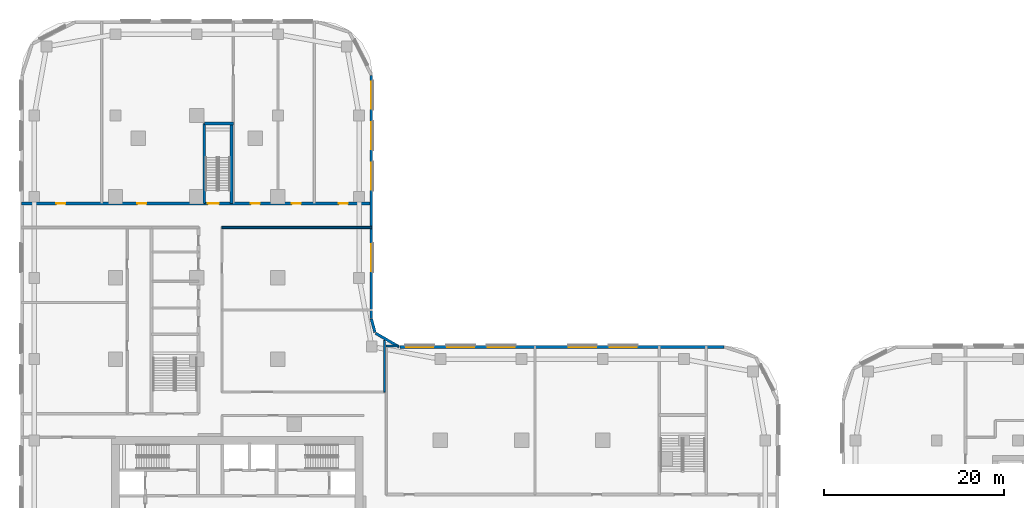
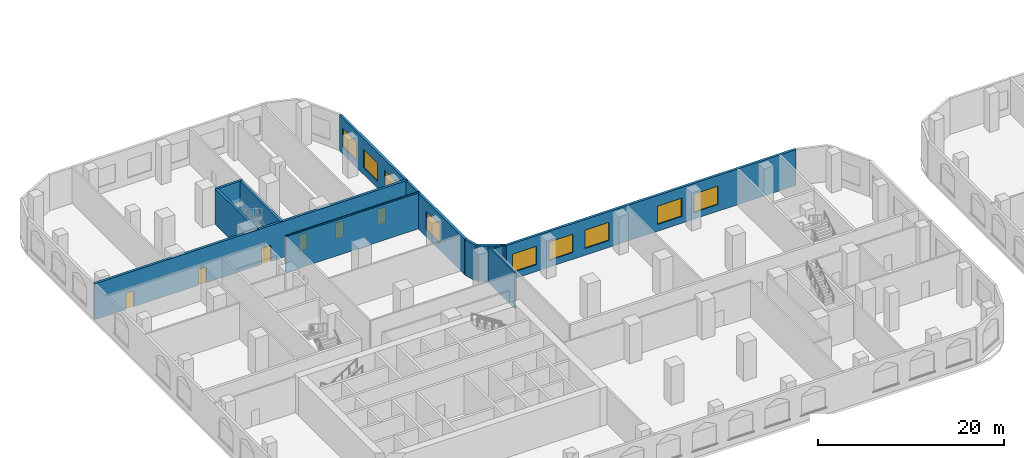
# One storey, part 7 of 31: 12 walls, 9 windows, 6 doors, 15 openings.
"""IFC4 building model written with IfcOpenShell, lengths in metres."""

from ifc_helpers import new_model, si_unit, direction, frame, frame_2d, origin, place, context, subcontext, project, spatial, rectangle, extrude, material, layer, layer_set, type_object, element, fill, save


model = new_model("IFC4")

# Units and contexts
model_context = context("Model", 3, precision=1e-05, world=origin(), true_north=direction((0.0, 1.0)))
body_context = subcontext(model_context, "Body", "Model", "MODEL_VIEW")
ifc_project = project(units=[si_unit("LENGTHUNIT", "METRE"), si_unit("AREAUNIT", "SQUARE_METRE"), si_unit("VOLUMEUNIT", "CUBIC_METRE"), si_unit("PLANEANGLEUNIT", "RADIAN"), si_unit("MASSUNIT", "GRAM", prefix="KILO")], contexts=[model_context])

# Site, building, storey
site_placement = place(None, origin())
site = spatial("IfcSite", under=ifc_project, at=site_placement, CompositionType="ELEMENT")
building_placement = place(site_placement, origin())
building = spatial("IfcBuilding", under=site, at=building_placement, Name="Ogive Portal Towers", CompositionType="ELEMENT")
storey_placement = place(building_placement, frame((0.0, 0.0, 13.5)))
storey = spatial("IfcBuildingStorey", under=building, at=storey_placement, Name="L02", CompositionType="ELEMENT", Elevation=13.5)

# Wall, openings, windows
ifc_material_1 = material(Name="Limestone cladding on lightweight block wall", Category="masonry")
ifc_layer_1 = layer(ifc_material_1, 0.300048828125)
ifc_layer_set_1 = layer_set([ifc_layer_1], Name="EXTERNAL WALL 300 STONE")
wall_type_1 = type_object("IfcWallType", Name="EXTERNAL WALL 300 STONE", PredefinedType="SOLIDWALL", material=ifc_layer_set_1)
wall_1_placement = place(storey_placement, frame((98.952392578125, 49.85009765625, 0.0), z_axis=(0.0, 0.0, 1.0), x_axis=(-1.0, 0.0, 0.0)))
wall_1 = element("IfcWall", 1, at=wall_1_placement, inside=storey, type_object=wall_type_1, Name="A:L02:f08:w0", PredefinedType="SOLIDWALL", context=body_context, shape_type="SweptSolid", body=[
    extrude(rectangle(XDim=35.952392578125, YDim=0.300048828125, at=frame_2d((17.97607421875, 0.0))), origin(), (0.0, 0.0, 1.0), 4.699951171875),
])
opening_1_placement = place(wall_1_placement, frame((9.702392578125, 0.0, 0.89990234375)))
opening_1 = element("IfcOpeningElement", 2, at=opening_1_placement, cuts=wall_1, Name="Opening WN3", PredefinedType="OPENING", context=body_context, shape_type="SweptSolid", body=[
    extrude(rectangle(XDim=3.0, YDim=2.39990234375, at=frame_2d((1.5, 1.199951171875))), frame((0.0, 0.16015625, 0.0), z_axis=(0.0, -1.0, 0.0), x_axis=(1.0, 0.0, 0.0)), (0.0, 0.0, 1.0), 0.320068359375),
])
opening_2_placement = place(wall_1_placement, frame((14.202392578125, 0.0, 0.89990234375)))
opening_2 = element("IfcOpeningElement", 3, at=opening_2_placement, cuts=wall_1, Name="Opening WN3", PredefinedType="OPENING", context=body_context, shape_type="SweptSolid", body=[
    extrude(rectangle(XDim=3.0, YDim=2.39990234375, at=frame_2d((1.5, 1.199951171875))), frame((0.0, 0.16015625, 0.0), z_axis=(0.0, -1.0, 0.0), x_axis=(1.0, 0.0, 0.0)), (0.0, 0.0, 1.0), 0.320068359375),
])
opening_3_placement = place(wall_1_placement, frame((23.202392578125, 0.0, 0.89990234375)))
opening_3 = element("IfcOpeningElement", 4, at=opening_3_placement, cuts=wall_1, Name="Opening WN3", PredefinedType="OPENING", context=body_context, shape_type="SweptSolid", body=[
    extrude(rectangle(XDim=3.0, YDim=2.39990234375, at=frame_2d((1.5, 1.199951171875))), frame((0.0, 0.16015625, 0.0), z_axis=(0.0, -1.0, 0.0), x_axis=(1.0, 0.0, 0.0)), (0.0, 0.0, 1.0), 0.320068359375),
])
opening_4_placement = place(wall_1_placement, frame((27.702392578125, 0.0, 0.89990234375)))
opening_4 = element("IfcOpeningElement", 5, at=opening_4_placement, cuts=wall_1, Name="Opening WN3", PredefinedType="OPENING", context=body_context, shape_type="SweptSolid", body=[
    extrude(rectangle(XDim=3.0, YDim=2.39990234375, at=frame_2d((1.5, 1.199951171875))), frame((0.0, 0.16015625, 0.0), z_axis=(0.0, -1.0, 0.0), x_axis=(1.0, 0.0, 0.0)), (0.0, 0.0, 1.0), 0.320068359375),
])
opening_5_placement = place(wall_1_placement, frame((32.226318359375, 0.0, 0.89990234375)))
opening_5 = element("IfcOpeningElement", 6, at=opening_5_placement, cuts=wall_1, Name="Opening WN3", PredefinedType="OPENING", context=body_context, shape_type="SweptSolid", body=[
    extrude(rectangle(XDim=3.0, YDim=2.39990234375, at=frame_2d((1.5, 1.199951171875))), frame((0.0, 0.16015625, 0.0), z_axis=(0.0, -1.0, 0.0), x_axis=(1.0, 0.0, 0.0)), (0.0, 0.0, 1.0), 0.320068359375),
])
ifc_material_2 = material(Name="Glass, clear low-iron insulated glazing", Category="glass")
window_type = type_object("IfcWindowType", Name="WINDOW PODIUM 3000x2400", PartitioningType="SINGLE_PANEL", PredefinedType="WINDOW", material=ifc_material_2)
window_1_placement = place(opening_1_placement, origin())
window_1 = element("IfcWindow", 7, at=window_1_placement, inside=storey, type_object=window_type, Name="A:L02:f08:w0:o1b", OverallHeight=2.39990234375, OverallWidth=3.0, PartitioningType="SINGLE_PANEL", PredefinedType="WINDOW", context=body_context, shape_type="SweptSolid", body=[
    extrude(rectangle(XDim=3.0, YDim=2.39990234375, at=frame_2d((1.5, 1.199951171875))), frame((0.0, 0.030029296875, 0.0), z_axis=(0.0, -1.0, 0.0), x_axis=(1.0, 0.0, 0.0)), (0.0, 0.0, 1.0), 0.06005859375),
])
fill(opening_1, window_1)
window_2_placement = place(opening_2_placement, origin())
window_2 = element("IfcWindow", 8, at=window_2_placement, inside=storey, type_object=window_type, Name="A:L02:f08:w0:o2a", OverallHeight=2.39990234375, OverallWidth=3.0, PartitioningType="SINGLE_PANEL", PredefinedType="WINDOW", context=body_context, shape_type="SweptSolid", body=[
    extrude(rectangle(XDim=3.0, YDim=2.39990234375, at=frame_2d((1.5, 1.199951171875))), frame((0.0, 0.030029296875, 0.0), z_axis=(0.0, -1.0, 0.0), x_axis=(1.0, 0.0, 0.0)), (0.0, 0.0, 1.0), 0.06005859375),
])
fill(opening_2, window_2)
window_3_placement = place(opening_3_placement, origin())
window_3 = element("IfcWindow", 9, at=window_3_placement, inside=storey, type_object=window_type, Name="A:L02:f08:w0:o3a", OverallHeight=2.39990234375, OverallWidth=3.0, PartitioningType="SINGLE_PANEL", PredefinedType="WINDOW", context=body_context, shape_type="SweptSolid", body=[
    extrude(rectangle(XDim=3.0, YDim=2.39990234375, at=frame_2d((1.5, 1.199951171875))), frame((0.0, 0.030029296875, 0.0), z_axis=(0.0, -1.0, 0.0), x_axis=(1.0, 0.0, 0.0)), (0.0, 0.0, 1.0), 0.06005859375),
])
fill(opening_3, window_3)
window_4_placement = place(opening_4_placement, origin())
window_4 = element("IfcWindow", 10, at=window_4_placement, inside=storey, type_object=window_type, Name="A:L02:f08:w0:o3b", OverallHeight=2.39990234375, OverallWidth=3.0, PartitioningType="SINGLE_PANEL", PredefinedType="WINDOW", context=body_context, shape_type="SweptSolid", body=[
    extrude(rectangle(XDim=3.0, YDim=2.39990234375, at=frame_2d((1.5, 1.199951171875))), frame((0.0, 0.030029296875, 0.0), z_axis=(0.0, -1.0, 0.0), x_axis=(1.0, 0.0, 0.0)), (0.0, 0.0, 1.0), 0.06005859375),
])
fill(opening_4, window_4)
window_5_placement = place(opening_5_placement, origin())
window_5 = element("IfcWindow", 11, at=window_5_placement, inside=storey, type_object=window_type, Name="A:L02:f08:w0:o4", OverallHeight=2.39990234375, OverallWidth=3.0, PartitioningType="SINGLE_PANEL", PredefinedType="WINDOW", context=body_context, shape_type="SweptSolid", body=[
    extrude(rectangle(XDim=3.0, YDim=2.39990234375, at=frame_2d((1.5, 1.199951171875))), frame((0.0, 0.030029296875, 0.0), z_axis=(0.0, -1.0, 0.0), x_axis=(1.0, 0.0, 0.0)), (0.0, 0.0, 1.0), 0.06005859375),
])
fill(opening_5, window_5)

# Walls
wall_2_placement = place(storey_placement, frame((62.925048828125, 49.8701171875, 0.0), z_axis=(0.0, 0.0, 1.0), x_axis=(-0.866031096941, 0.499990139034, 0.0)))
element("IfcWall", 12, at=wall_2_placement, inside=storey, type_object=wall_type_1, Name="A:L02:f09:w0", PredefinedType="SOLIDWALL", context=body_context, shape_type="SweptSolid", body=[
    extrude(rectangle(XDim=3.0, YDim=0.300048828125, at=frame_2d((1.5, 0.0))), origin(), (0.0, 0.0, 1.0), 4.699951171875),
])
wall_3_placement = place(storey_placement, frame((60.257080078125, 51.461181640625, 0.0), z_axis=(0.0, 0.0, 1.0), x_axis=(-0.258777996848, 0.965936824201, 0.0)))
element("IfcWall", 13, at=wall_3_placement, inside=storey, type_object=wall_type_1, Name="A:L02:f10:w0", PredefinedType="SOLIDWALL", context=body_context, shape_type="SweptSolid", body=[
    extrude(rectangle(XDim=1.552978515625, YDim=0.300048828125, at=frame_2d((0.7763671875, 0.0))), origin(), (0.0, 0.0, 1.0), 4.699951171875),
])

# Wall, openings, windows
wall_4_placement = place(storey_placement, frame((59.85009765625, 53.0, 0.0), z_axis=(0.0, 0.0, 1.0), x_axis=(0.0, 1.0, 0.0)))
wall_4 = element("IfcWall", 14, at=wall_4_placement, inside=storey, type_object=wall_type_1, Name="A:L02:f11:w0", PredefinedType="SOLIDWALL", context=body_context, shape_type="SweptSolid", body=[
    extrude(rectangle(XDim=26.927978515625, YDim=0.300048828125, at=frame_2d((13.4638671875, 0.0))), origin(), (0.0, 0.0, 1.0), 4.699951171875),
])
opening_6_placement = place(wall_4_placement, frame((5.25, 0.0, 0.89990234375)))
opening_6 = element("IfcOpeningElement", 15, at=opening_6_placement, cuts=wall_4, Name="Opening WN3", PredefinedType="OPENING", context=body_context, shape_type="SweptSolid", body=[
    extrude(rectangle(XDim=3.0, YDim=2.39990234375, at=frame_2d((1.5, 1.199951171875))), frame((0.0, 0.16015625, 0.0), z_axis=(0.0, -1.0, 0.0), x_axis=(1.0, 0.0, 0.0)), (0.0, 0.0, 1.0), 0.320068359375),
])
opening_7_placement = place(wall_4_placement, frame((14.25, 0.0, 0.89990234375)))
opening_7 = element("IfcOpeningElement", 16, at=opening_7_placement, cuts=wall_4, Name="Opening WN3", PredefinedType="OPENING", context=body_context, shape_type="SweptSolid", body=[
    extrude(rectangle(XDim=3.0, YDim=2.39990234375, at=frame_2d((1.5, 1.199951171875))), frame((0.0, 0.16015625, 0.0), z_axis=(0.0, -1.0, 0.0), x_axis=(1.0, 0.0, 0.0)), (0.0, 0.0, 1.0), 0.320068359375),
])
opening_8_placement = place(wall_4_placement, frame((18.75, 0.0, 0.89990234375)))
opening_8 = element("IfcOpeningElement", 17, at=opening_8_placement, cuts=wall_4, Name="Opening WN3", PredefinedType="OPENING", context=body_context, shape_type="SweptSolid", body=[
    extrude(rectangle(XDim=3.0, YDim=2.39990234375, at=frame_2d((1.5, 1.199951171875))), frame((0.0, 0.16015625, 0.0), z_axis=(0.0, -1.0, 0.0), x_axis=(1.0, 0.0, 0.0)), (0.0, 0.0, 1.0), 0.320068359375),
])
opening_9_placement = place(wall_4_placement, frame((23.25, 0.0, 0.89990234375)))
opening_9 = element("IfcOpeningElement", 18, at=opening_9_placement, cuts=wall_4, Name="Opening WN3", PredefinedType="OPENING", context=body_context, shape_type="SweptSolid", body=[
    extrude(rectangle(XDim=3.0, YDim=2.39990234375, at=frame_2d((1.5, 1.199951171875))), frame((0.0, 0.16015625, 0.0), z_axis=(0.0, -1.0, 0.0), x_axis=(1.0, 0.0, 0.0)), (0.0, 0.0, 1.0), 0.320068359375),
])
window_6_placement = place(opening_6_placement, origin())
window_6 = element("IfcWindow", 19, at=window_6_placement, inside=storey, type_object=window_type, Name="A:L02:f11:w0:o1a", OverallHeight=2.39990234375, OverallWidth=3.0, PartitioningType="SINGLE_PANEL", PredefinedType="WINDOW", context=body_context, shape_type="SweptSolid", body=[
    extrude(rectangle(XDim=3.0, YDim=2.39990234375, at=frame_2d((1.5, 1.199951171875))), frame((0.0, 0.030029296875, 0.0), z_axis=(0.0, -1.0, 0.0), x_axis=(1.0, 0.0, 0.0)), (0.0, 0.0, 1.0), 0.06005859375),
])
fill(opening_6, window_6)
window_7_placement = place(opening_7_placement, origin())
window_7 = element("IfcWindow", 20, at=window_7_placement, inside=storey, type_object=window_type, Name="A:L02:f11:w0:o2a", OverallHeight=2.39990234375, OverallWidth=3.0, PartitioningType="SINGLE_PANEL", PredefinedType="WINDOW", context=body_context, shape_type="SweptSolid", body=[
    extrude(rectangle(XDim=3.0, YDim=2.39990234375, at=frame_2d((1.5, 1.199951171875))), frame((0.0, 0.030029296875, 0.0), z_axis=(0.0, -1.0, 0.0), x_axis=(1.0, 0.0, 0.0)), (0.0, 0.0, 1.0), 0.06005859375),
])
fill(opening_7, window_7)
window_8_placement = place(opening_8_placement, origin())
window_8 = element("IfcWindow", 21, at=window_8_placement, inside=storey, type_object=window_type, Name="A:L02:f11:w0:o2b", OverallHeight=2.39990234375, OverallWidth=3.0, PartitioningType="SINGLE_PANEL", PredefinedType="WINDOW", context=body_context, shape_type="SweptSolid", body=[
    extrude(rectangle(XDim=3.0, YDim=2.39990234375, at=frame_2d((1.5, 1.199951171875))), frame((0.0, 0.030029296875, 0.0), z_axis=(0.0, -1.0, 0.0), x_axis=(1.0, 0.0, 0.0)), (0.0, 0.0, 1.0), 0.06005859375),
])
fill(opening_8, window_8)
window_9_placement = place(opening_9_placement, origin())
window_9 = element("IfcWindow", 22, at=window_9_placement, inside=storey, type_object=window_type, Name="A:L02:f11:w0:o3", OverallHeight=2.39990234375, OverallWidth=3.0, PartitioningType="SINGLE_PANEL", PredefinedType="WINDOW", context=body_context, shape_type="SweptSolid", body=[
    extrude(rectangle(XDim=3.0, YDim=2.39990234375, at=frame_2d((1.5, 1.199951171875))), frame((0.0, 0.030029296875, 0.0), z_axis=(0.0, -1.0, 0.0), x_axis=(1.0, 0.0, 0.0)), (0.0, 0.0, 1.0), 0.06005859375),
])
fill(opening_9, window_9)

# Wall, openings, doors
ifc_material_3 = material(Name="Concrete C50/60", Category="concrete")
ifc_layer_2 = layer(ifc_material_3, 0.300048828125)
ifc_layer_set_2 = layer_set([ifc_layer_2], Name="STAIR WALL 300 C50")
wall_type_2 = type_object("IfcWallType", Name="STAIR WALL 300 C50", PredefinedType="SHEAR", material=ifc_layer_set_2)
wall_5_placement = place(storey_placement, frame((21.070068359375, 65.75, 0.0), z_axis=(0.0, 0.0, 1.0), x_axis=(1.0, 0.0, 0.0)))
wall_5 = element("IfcWall", 23, at=wall_5_placement, inside=storey, type_object=wall_type_2, Name="Stair wall ST-A3 L02", PredefinedType="SHEAR", context=body_context, shape_type="SweptSolid", body=[
    extrude(rectangle(XDim=38.85986328125, YDim=0.300048828125, at=frame_2d((19.429931640625, 0.0))), origin(), (0.0, 0.0, 1.0), 4.699951171875),
])
opening_10_placement = place(wall_5_placement, frame((20.679931640625, 0.0, 0.0)))
opening_10 = element("IfcOpeningElement", 24, at=opening_10_placement, cuts=wall_5, Name="Opening P02-001", PredefinedType="OPENING", context=body_context, shape_type="SweptSolid", body=[
    extrude(rectangle(XDim=1.199951171875, YDim=2.10009765625, at=frame_2d((0.60009765625, 1.050048828125))), frame((0.0, 0.16015625, 0.0), z_axis=(0.0, -1.0, 0.0), x_axis=(1.0, 0.0, 0.0)), (0.0, 0.0, 1.0), 0.320068359375),
])
opening_11_placement = place(wall_5_placement, frame((12.860107421875, 0.0, 0.0)))
opening_11 = element("IfcOpeningElement", 25, at=opening_11_placement, cuts=wall_5, Name="Opening P02-007", PredefinedType="OPENING", context=body_context, shape_type="SweptSolid", body=[
    extrude(rectangle(XDim=1.0, YDim=2.10009765625, at=frame_2d((0.5, 1.050048828125))), frame((0.0, 0.16015625, 0.0), z_axis=(0.0, -1.0, 0.0), x_axis=(1.0, 0.0, 0.0)), (0.0, 0.0, 1.0), 0.320068359375),
])
opening_12_placement = place(wall_5_placement, frame((25.430908203125, 0.0, 0.0)))
opening_12 = element("IfcOpeningElement", 26, at=opening_12_placement, cuts=wall_5, Name="Opening P02-009", PredefinedType="OPENING", context=body_context, shape_type="SweptSolid", body=[
    extrude(rectangle(XDim=1.0, YDim=2.10009765625, at=frame_2d((0.5, 1.050048828125))), frame((0.0, 0.16015625, 0.0), z_axis=(0.0, -1.0, 0.0), x_axis=(1.0, 0.0, 0.0)), (0.0, 0.0, 1.0), 0.320068359375),
])
opening_13_placement = place(wall_5_placement, frame((3.885986328125, 0.0, 0.0)))
opening_13 = element("IfcOpeningElement", 27, at=opening_13_placement, cuts=wall_5, Name="Opening P02-026", PredefinedType="OPENING", context=body_context, shape_type="SweptSolid", body=[
    extrude(rectangle(XDim=1.0, YDim=2.10009765625, at=frame_2d((0.5, 1.050048828125))), frame((0.0, 0.16015625, 0.0), z_axis=(0.0, -1.0, 0.0), x_axis=(1.0, 0.0, 0.0)), (0.0, 0.0, 1.0), 0.320068359375),
])
opening_14_placement = place(wall_5_placement, frame((29.965087890625, 0.0, 0.0)))
opening_14 = element("IfcOpeningElement", 28, at=opening_14_placement, cuts=wall_5, Name="Opening P02-027", PredefinedType="OPENING", context=body_context, shape_type="SweptSolid", body=[
    extrude(rectangle(XDim=1.0, YDim=2.10009765625, at=frame_2d((0.5, 1.050048828125))), frame((0.0, 0.16015625, 0.0), z_axis=(0.0, -1.0, 0.0), x_axis=(1.0, 0.0, 0.0)), (0.0, 0.0, 1.0), 0.320068359375),
])
opening_15_placement = place(wall_5_placement, frame((35.175048828125, 0.0, 0.0)))
opening_15 = element("IfcOpeningElement", 29, at=opening_15_placement, cuts=wall_5, Name="Opening P02-028", PredefinedType="OPENING", context=body_context, shape_type="SweptSolid", body=[
    extrude(rectangle(XDim=1.0, YDim=2.10009765625, at=frame_2d((0.5, 1.050048828125))), frame((0.0, 0.16015625, 0.0), z_axis=(0.0, -1.0, 0.0), x_axis=(1.0, 0.0, 0.0)), (0.0, 0.0, 1.0), 0.320068359375),
])
ifc_material_4 = material(Name="Steel fire door", Category="steel")
door_type_1 = type_object("IfcDoorType", Name="DT-SWING-1000x2100-FD90S", OperationType="SINGLE_SWING_LEFT", PredefinedType="DOOR", material=ifc_material_4)
door_1_placement = place(opening_11_placement, origin())
door_1 = element("IfcDoor", 30, at=door_1_placement, inside=storey, type_object=door_type_1, Name="Door P02-007", OperationType="SINGLE_SWING_LEFT", OverallHeight=2.10009765625, OverallWidth=1.0, PredefinedType="DOOR", context=body_context, shape_type="SweptSolid", body=[
    extrude(rectangle(XDim=1.0, YDim=2.10009765625, at=frame_2d((0.5, 1.050048828125))), frame((0.0, 0.02490234375, 0.0), z_axis=(0.0, -1.0, 0.0), x_axis=(1.0, 0.0, 0.0)), (0.0, 0.0, 1.0), 0.050048828125),
])
fill(opening_11, door_1)
door_2_placement = place(opening_12_placement, origin())
door_2 = element("IfcDoor", 31, at=door_2_placement, inside=storey, type_object=door_type_1, Name="Door P02-009", OperationType="SINGLE_SWING_LEFT", OverallHeight=2.10009765625, OverallWidth=1.0, PredefinedType="DOOR", context=body_context, shape_type="SweptSolid", body=[
    extrude(rectangle(XDim=1.0, YDim=2.10009765625, at=frame_2d((0.5, 1.050048828125))), frame((0.0, 0.02490234375, 0.0), z_axis=(0.0, -1.0, 0.0), x_axis=(1.0, 0.0, 0.0)), (0.0, 0.0, 1.0), 0.050048828125),
])
fill(opening_12, door_2)
door_3_placement = place(opening_13_placement, origin())
door_3 = element("IfcDoor", 32, at=door_3_placement, inside=storey, type_object=door_type_1, Name="Door P02-026", OperationType="SINGLE_SWING_RIGHT", OverallHeight=2.10009765625, OverallWidth=1.0, PredefinedType="DOOR", context=body_context, shape_type="SweptSolid", body=[
    extrude(rectangle(XDim=1.0, YDim=2.10009765625, at=frame_2d((0.5, 1.050048828125))), frame((0.0, 0.02490234375, 0.0), z_axis=(0.0, -1.0, 0.0), x_axis=(1.0, 0.0, 0.0)), (0.0, 0.0, 1.0), 0.050048828125),
])
fill(opening_13, door_3)
door_4_placement = place(opening_14_placement, origin())
door_4 = element("IfcDoor", 33, at=door_4_placement, inside=storey, type_object=door_type_1, Name="Door P02-027", OperationType="SINGLE_SWING_LEFT", OverallHeight=2.10009765625, OverallWidth=1.0, PredefinedType="DOOR", context=body_context, shape_type="SweptSolid", body=[
    extrude(rectangle(XDim=1.0, YDim=2.10009765625, at=frame_2d((0.5, 1.050048828125))), frame((0.0, 0.02490234375, 0.0), z_axis=(0.0, -1.0, 0.0), x_axis=(1.0, 0.0, 0.0)), (0.0, 0.0, 1.0), 0.050048828125),
])
fill(opening_14, door_4)
door_5_placement = place(opening_15_placement, origin())
door_5 = element("IfcDoor", 34, at=door_5_placement, inside=storey, type_object=door_type_1, Name="Door P02-028", OperationType="SINGLE_SWING_RIGHT", OverallHeight=2.10009765625, OverallWidth=1.0, PredefinedType="DOOR", context=body_context, shape_type="SweptSolid", body=[
    extrude(rectangle(XDim=1.0, YDim=2.10009765625, at=frame_2d((0.5, 1.050048828125))), frame((0.0, 0.02490234375, 0.0), z_axis=(0.0, -1.0, 0.0), x_axis=(1.0, 0.0, 0.0)), (0.0, 0.0, 1.0), 0.050048828125),
])
fill(opening_15, door_5)
door_type_2 = type_object("IfcDoorType", Name="DT-SWING-1200x2100-FD90S", OperationType="SINGLE_SWING_LEFT", PredefinedType="DOOR", material=ifc_material_4)
door_6_placement = place(opening_10_placement, origin())
door_6 = element("IfcDoor", 35, at=door_6_placement, inside=storey, type_object=door_type_2, Name="Door P02-001", OperationType="SINGLE_SWING_LEFT", OverallHeight=2.10009765625, OverallWidth=1.199951171875, PredefinedType="DOOR", context=body_context, shape_type="SweptSolid", body=[
    extrude(rectangle(XDim=1.199951171875, YDim=2.10009765625, at=frame_2d((0.60009765625, 1.050048828125))), frame((0.0, 0.02490234375, 0.0), z_axis=(0.0, -1.0, 0.0), x_axis=(1.0, 0.0, 0.0)), (0.0, 0.0, 1.0), 0.050048828125),
])
fill(opening_10, door_6)

# Walls
wall_6_placement = place(storey_placement, frame((41.35009765625, 74.60009765625, 0.0), z_axis=(0.0, 0.0, 1.0), x_axis=(1.0, 0.0, 0.0)))
element("IfcWall", 36, at=wall_6_placement, inside=storey, type_object=wall_type_2, Name="Stair wall ST-A3 L02", PredefinedType="SHEAR", context=body_context, shape_type="SweptSolid", body=[
    extrude(rectangle(XDim=3.199951171875, YDim=0.300048828125, at=frame_2d((1.60009765625, 0.0))), origin(), (0.0, 0.0, 1.0), 4.699951171875),
])
for number, where, z_axis, x_axis, name in (
    (37, (41.35009765625, 65.75, 0.0), (0.0, 0.0, 1.0), (0.0, 1.0, 0.0), "Stair wall ST-A3 L02"),
    (38, (44.35009765625, 65.75, 0.0), (0.0, 0.0, 1.0), (0.0, 1.0, 0.0), "Stair wall ST-A3 L02"),
):
    element("IfcWall", number, at=place(storey_placement, frame(where, z_axis=z_axis, x_axis=x_axis)), inside=storey, type_object=wall_type_2, Name=name, PredefinedType="SHEAR", context=body_context, shape_type="SweptSolid", body=[
        extrude(rectangle(XDim=8.85009765625, YDim=0.300048828125, at=frame_2d((4.425048828125, 0.0))), origin(), (0.0, 0.0, 1.0), 4.699951171875),
    ])
ifc_material_5 = material(Name="Gypsum board partition on steel studs", Category="steel")
ifc_layer_3 = layer(ifc_material_5, 0.199951171875)
ifc_layer_set_3 = layer_set([ifc_layer_3], Name="WT-PART-200-EI 60")
wall_type_3 = type_object("IfcWallType", Name="WT-PART-200-EI 60", PredefinedType="PARTITIONING", material=ifc_layer_set_3)
wall_7_placement = place(storey_placement, frame((61.5, 49.949951171875, 0.0), z_axis=(0.0, 0.0, 1.0), x_axis=(1.0, 0.0, 0.0)))
element("IfcWall", 39, at=wall_7_placement, inside=storey, type_object=wall_type_3, Name="Wall L02:w031", PredefinedType="PARTITIONING", context=body_context, shape_type="SweptSolid", body=[
    extrude(rectangle(XDim=1.416015625, YDim=0.199951171875, at=frame_2d((0.7080078125, 0.0))), origin(), (0.0, 0.0, 1.0), 4.699951171875),
])
for number, where, z_axis, x_axis, name in (
    (40, (43.300048828125, 63.050048828125, 0.0), (0.0, 0.0, 1.0), (1.0, 0.0, 0.0), "Wall L02:w040"),
    (41, (43.300048828125, 63.14990234375, 0.0), (0.0, 0.0, 1.0), (1.0, 0.0, 0.0), "Wall L02:w042"),
):
    element("IfcWall", number, at=place(storey_placement, frame(where, z_axis=z_axis, x_axis=x_axis)), inside=storey, type_object=wall_type_3, Name=name, PredefinedType="PARTITIONING", context=body_context, shape_type="SweptSolid", body=[
        extrude(rectangle(XDim=16.6298828125, YDim=0.199951171875, at=frame_2d((8.31494140625, 0.0))), origin(), (0.0, 0.0, 1.0), 4.699951171875),
    ])
wall_8_placement = place(storey_placement, frame((61.300048828125, 44.85009765625, 0.0), z_axis=(0.0, 0.0, 1.0), x_axis=(0.0, 1.0, 0.0)))
element("IfcWall", 42, at=wall_8_placement, inside=storey, type_object=wall_type_3, Name="Wall L02:w076", PredefinedType="PARTITIONING", context=body_context, shape_type="SweptSolid", body=[
    extrude(rectangle(XDim=5.741943359375, YDim=0.199951171875, at=frame_2d((2.87109375, 0.0))), origin(), (0.0, 0.0, 1.0), 4.699951171875),
])

save(model, "model.ifc")
